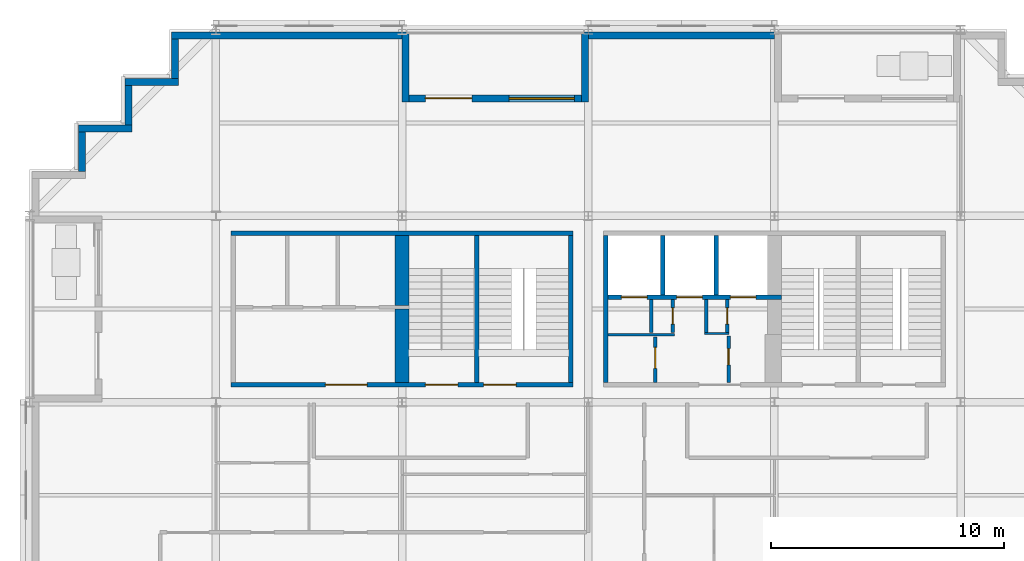
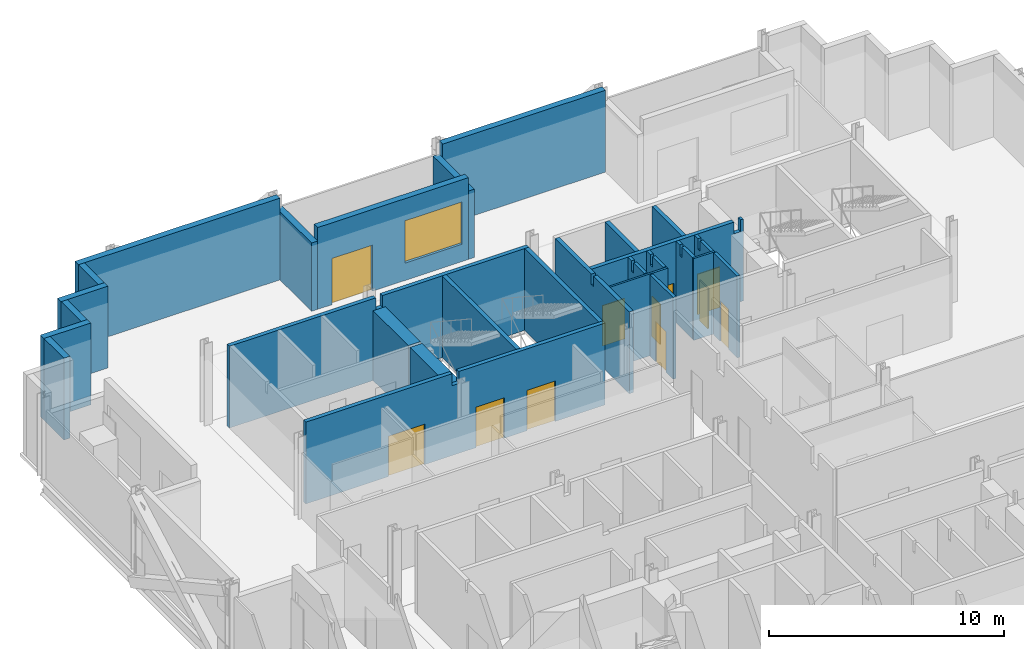
# One storey, part 9 of 14: 28 walls, 11 doors, 1 window, 12 openings.
"""IFC4 building model written with IfcOpenShell, lengths in metres."""

import ifcopenshell
import ifcopenshell.guid

model = None  # the IFC model being written
_history = None  # IfcOwnerHistory: only IFC2X3 demands one
_inside = {}  # id of a spatial element -> (the spatial element, [elements in it])
_under = {}  # id of a project, library or spatial element -> (it, [spatial elements below it])
_declared = {}  # id of a project -> (the project, [libraries it declares])
_typed = {}  # id of a type object -> (the type object, [elements of that type])
_made_of = {}  # id of a material, layer set ... -> (it, [elements and type objects made of it])


def new_model(schema):
    """Start an empty IFC model of exactly this schema.

    Asked for "IFC4X3", IfcOpenShell would pick the latest addendum, in which some entities
    have other attributes; the version numbers below select the first issue.
    IFC2X3 requires an IfcOwnerHistory on every rooted entity: one is made here for all.
    """
    global model, _history
    if schema == "IFC4X3":
        model = ifcopenshell.file(schema_version=(4, 3, 0, 0))
    else:
        model = ifcopenshell.file(schema=schema)
    _inside.clear()
    _under.clear()
    _declared.clear()
    _typed.clear()
    _made_of.clear()
    _history = None
    if model.schema == "IFC2X3":
        org = make("IfcOrganization", Name="unknown")
        user = make(
            "IfcPersonAndOrganization",
            ThePerson=make("IfcPerson", FamilyName="unknown"),
            TheOrganization=org,
        )
        app = make(
            "IfcApplication",
            ApplicationDeveloper=org,
            Version="unknown",
            ApplicationFullName="unknown",
            ApplicationIdentifier="unknown",
        )
        _history = make(
            "IfcOwnerHistory",
            OwningUser=user,
            OwningApplication=app,
            ChangeAction="ADDED",
            CreationDate=0,
        )
    return model


def make(cls, **values):
    """One entity of the class cls with the attributes given. An attribute that is None is left unset."""
    return model.create_entity(
        cls, **{name: value for name, value in values.items() if value is not None}
    )


def rooted(cls, **values):
    """An entity with a GlobalId (a new one), such as an element, a storey or a relation."""
    return make(cls, GlobalId=ifcopenshell.guid.new(), OwnerHistory=_history, **values)


def si_unit(unit_type, name, prefix=None):
    """IfcSIUnit, for example si_unit("LENGTHUNIT", "METRE", prefix="MILLI")."""
    return make("IfcSIUnit", UnitType=unit_type, Prefix=prefix, Name=name)


def assignment(units):
    """IfcUnitAssignment: the units of a project."""
    return None if units is None else make("IfcUnitAssignment", Units=units)


def point(xyz):
    """IfcCartesianPoint."""
    return None if xyz is None else make("IfcCartesianPoint", Coordinates=xyz)


def direction(xyz):
    """IfcDirection."""
    return None if xyz is None else make("IfcDirection", DirectionRatios=xyz)


def frame(location, z_axis=None, x_axis=None):
    """IfcAxis2Placement3D, a coordinate frame: its origin and axes. An axis left out is left unset."""
    return make(
        "IfcAxis2Placement3D",
        Location=point(location),
        Axis=direction(z_axis),
        RefDirection=direction(x_axis),
    )


def frame_2d(location, x_axis=None):
    """IfcAxis2Placement2D, a coordinate frame in the plane: its origin and x axis."""
    return make(
        "IfcAxis2Placement2D", Location=point(location), RefDirection=direction(x_axis)
    )


def origin():
    """The frame at (0, 0, 0) with its axes left unset."""
    return frame((0.0, 0.0, 0.0))


def place(relative_to, where):
    """IfcLocalPlacement: puts the frame where relative to a parent placement (None: the world)."""
    return make(
        "IfcLocalPlacement", PlacementRelTo=relative_to, RelativePlacement=where
    )


def context(
    kind, dimensions, precision=None, world=None, true_north=None, identifier=None
):
    """IfcGeometricRepresentationContext, for example the 3D "Model" context."""
    return make(
        "IfcGeometricRepresentationContext",
        ContextIdentifier=identifier,
        ContextType=kind,
        CoordinateSpaceDimension=dimensions,
        Precision=precision,
        WorldCoordinateSystem=world,
        TrueNorth=true_north,
    )


def subcontext(parent, identifier, kind, view, scale=None):
    """IfcGeometricRepresentationSubContext, for example "Body" below "Model"."""
    return make(
        "IfcGeometricRepresentationSubContext",
        ContextIdentifier=identifier,
        ContextType=kind,
        ParentContext=parent,
        TargetScale=scale,
        TargetView=view,
    )


def project(units=None, contexts=None):
    """IfcProject with its units and contexts."""
    return rooted(
        "IfcProject",
        Name="project",
        RepresentationContexts=contexts,
        UnitsInContext=assignment(units),
    )


def spatial(cls, under=None, at=None, **own):
    """A site, building, storey or space (cls), placed at a placement, below another one or the project."""
    s = rooted(cls, ObjectPlacement=at, **own)
    if under is not None:
        _under.setdefault(under.id(), (under, []))[1].append(s)
    return s


def polyline(points):
    """IfcPolyline through the points."""
    return make("IfcPolyline", Points=[point(p) for p in points])


def profile(cls, at=None, kind="AREA", **sizes):
    """A parametric profile (cls). Its sizes go by their IFC names, for example OverallWidth=200.0."""
    return make(cls, ProfileType=kind, Position=at, **sizes)


def rectangle(**sizes):
    """IfcRectangleProfileDef."""
    return profile("IfcRectangleProfileDef", **sizes)


def outline(outer, holes=None, kind="AREA"):
    """IfcArbitraryClosedProfileDef: a profile drawn as a closed curve; with holes, ...WithVoids."""
    if holes is None:
        return make("IfcArbitraryClosedProfileDef", ProfileType=kind, OuterCurve=outer)
    return make(
        "IfcArbitraryProfileDefWithVoids",
        ProfileType=kind,
        OuterCurve=outer,
        InnerCurves=holes,
    )


def extrude(swept, where, along, depth):
    """IfcExtrudedAreaSolid: the profile swept, set in the frame where, extruded along a direction by depth."""
    return make(
        "IfcExtrudedAreaSolid",
        SweptArea=swept,
        Position=where,
        ExtrudedDirection=direction(along),
        Depth=depth,
    )


def shape(context_of_items, identifier, shape_type, items):
    """IfcShapeRepresentation: the items that make up one representation, for example the "Body"."""
    return make(
        "IfcShapeRepresentation",
        ContextOfItems=context_of_items,
        RepresentationIdentifier=identifier,
        RepresentationType=shape_type,
        Items=items,
    )


def material(Name=None, Category=None):
    """IfcMaterial."""
    return make("IfcMaterial", Name=Name, Category=Category)


def layer(
    of_material, thickness, ventilated=None, Name=None, Category=None, Priority=None
):
    """IfcMaterialLayer: one layer of a wall or slab, of a material (None: an air gap)."""
    return make(
        "IfcMaterialLayer",
        Material=of_material,
        LayerThickness=thickness,
        IsVentilated=ventilated,
        Name=Name,
        Category=Category,
        Priority=Priority,
    )


def layer_set(layers, Name=None):
    """IfcMaterialLayerSet."""
    return make("IfcMaterialLayerSet", MaterialLayers=layers, LayerSetName=Name)


def made_of(thing, what):
    """Note that an element or type object is made of a material, layer set ...; save() writes the relation."""
    if what is not None:
        _made_of.setdefault(what.id(), (what, []))[1].append(thing)
    return thing


def type_object(cls, material=None, **own):
    """A type object (cls), such as IfcWallType, which elements share."""
    return made_of(rooted(cls, **own), material)


def element(
    cls,
    number,
    at=None,
    inside=None,
    cuts=None,
    type_object=None,
    material=None,
    context=None,
    identifier="Body",
    shape_type=None,
    held_by="IfcProductDefinitionShape",
    body=None,
    shapes=None,
    **own,
):
    """One element of the class cls, such as IfcWall. Its Tag is "e" and its number.

    at: its placement. inside: the storey or other place that contains it. cuts: it is an
    opening in that element (IfcRelVoidsElement). A single representation is given by context,
    identifier, shape_type and body (its items); several are given by shapes. held_by: the class
    of the entity that holds the representations. save() writes the other relations.
    """
    e = rooted(cls, Tag="e%d" % number, ObjectPlacement=at, **own)
    if body is not None:
        shapes = [shape(context, identifier, shape_type, body)]
    if shapes is not None:
        e.Representation = make(held_by, Representations=shapes)
    if inside is not None:
        _inside.setdefault(inside.id(), (inside, []))[1].append(e)
    if cuts is not None:
        rooted(
            "IfcRelVoidsElement", RelatingBuildingElement=cuts, RelatedOpeningElement=e
        )
    if type_object is not None:
        _typed.setdefault(type_object.id(), (type_object, []))[1].append(e)
    return made_of(e, material)


def fill(opening, filler):
    """IfcRelFillsElement: the door or window that sits in an opening."""
    return rooted(
        "IfcRelFillsElement",
        RelatingOpeningElement=opening,
        RelatedBuildingElement=filler,
    )


def aggregate(whole, parts):
    """IfcRelAggregates: a whole, such as a stair, and the parts it consists of."""
    return rooted("IfcRelAggregates", RelatingObject=whole, RelatedObjects=parts)


def save(model, path):
    """Write the relations noted so far, then the file.

    IfcRelAggregates (storeys below a building ...), IfcRelContainedInSpatialStructure (elements
    in a storey), IfcRelDefinesByType, IfcRelAssociatesMaterial and IfcRelDeclares: one each for
    every whole, place, type object, material and project.
    """
    for whole, parts in _under.values():
        aggregate(whole, parts)
    for where, things in _inside.values():
        rooted(
            "IfcRelContainedInSpatialStructure",
            RelatedElements=things,
            RelatingStructure=where,
        )
    for kind, things in _typed.values():
        rooted("IfcRelDefinesByType", RelatedObjects=things, RelatingType=kind)
    for what, things in _made_of.values():
        rooted("IfcRelAssociatesMaterial", RelatedObjects=things, RelatingMaterial=what)
    for by, libraries in _declared.values():
        rooted("IfcRelDeclares", RelatingContext=by, RelatedDefinitions=libraries)
    model.write(path)


model = new_model("IFC4")

# Units and contexts
model_context = context("Model", 3, precision=1e-05, world=origin(), true_north=direction((0.0, 1.0)))
body_context = subcontext(model_context, "Body", "Model", "MODEL_VIEW")
ifc_project = project(units=[si_unit("LENGTHUNIT", "METRE"), si_unit("AREAUNIT", "SQUARE_METRE"), si_unit("VOLUMEUNIT", "CUBIC_METRE"), si_unit("PLANEANGLEUNIT", "RADIAN"), si_unit("MASSUNIT", "GRAM", prefix="KILO")], contexts=[model_context])

# Site, building, storey
site_placement = place(None, origin())
site = spatial("IfcSite", under=ifc_project, at=site_placement, CompositionType="ELEMENT")
building_placement = place(site_placement, origin())
building = spatial("IfcBuilding", under=site, at=building_placement, Name="Immortelle Media Tower", CompositionType="ELEMENT")
storey_placement = place(building_placement, frame((0.0, 0.0, 43.60009765625)))
storey = spatial("IfcBuildingStorey", under=building, at=storey_placement, Name="L06", CompositionType="ELEMENT", Elevation=43.60009765625)

# Walls
ifc_material_1 = material(Name="Fire-rated gypsum board", Category="gypsum")
ifc_layer_1 = layer(ifc_material_1, 0.02490234375)
ifc_material_2 = material(Name="Steel ASTM A653 SS Gr 50 stud frame with mineral wool", Category="steel")
ifc_layer_2 = layer(ifc_material_2, 0.050048828125)
ifc_layer_3 = layer(ifc_material_1, 0.02490234375)
ifc_layer_set_1 = layer_set([ifc_layer_1, ifc_layer_2, ifc_layer_3], Name="Steel ASTM A653 SS Gr 50 stud frame with mineral wool")
wall_type_1 = type_object("IfcWallType", Name="Core partition 100", PredefinedType="PARTITIONING", material=ifc_layer_set_1)
wall_1_placement = place(storey_placement, frame((24.85009765625, 34.89990234375, 0.0), z_axis=(0.0, 0.0, 1.0), x_axis=(1.0, 0.0, 0.0)))
element("IfcWall", 1, at=wall_1_placement, inside=storey, type_object=wall_type_1, Name="Core partition NE", PredefinedType="PARTITIONING", context=body_context, shape_type="SweptSolid", body=[
    extrude(rectangle(XDim=2.849853515625, YDim=0.10009765625, at=frame_2d((1.4248046875, 0.0))), origin(), (0.0, 0.0, 1.0), 4.25),
])
wall_2_placement = place(storey_placement, frame((29.0, 34.949951171875, 0.0), z_axis=(0.0, 0.0, 1.0), x_axis=(1.0, 0.0, 0.0)))
element("IfcWall", 2, at=wall_2_placement, inside=storey, type_object=wall_type_1, Name="Core partition NE", PredefinedType="PARTITIONING", context=body_context, shape_type="SweptSolid", body=[
    extrude(rectangle(XDim=1.050048828125, YDim=0.10009765625, at=frame_2d((0.52490234375, 0.0))), origin(), (0.0, 0.0, 1.0), 4.25),
])
ifc_layer_4 = layer(ifc_material_1, 0.02490234375)
ifc_layer_5 = layer(ifc_material_2, 0.10009765625)
ifc_layer_6 = layer(ifc_material_1, 0.02490234375)
ifc_layer_set_2 = layer_set([ifc_layer_4, ifc_layer_5, ifc_layer_6], Name="Steel ASTM A653 SS Gr 50 stud frame with mineral wool")
wall_type_2 = type_object("IfcWallType", Name="Core partition 150", PredefinedType="PARTITIONING", material=ifc_layer_set_2)
wall_3_placement = place(storey_placement, frame((26.699951171875, 35.0, 0.0), z_axis=(0.0, 0.0, 1.0), x_axis=(0.0, 1.0, 0.0)))
element("IfcWall", 3, at=wall_3_placement, inside=storey, type_object=wall_type_2, Name="Core partition NE", PredefinedType="PARTITIONING", context=body_context, shape_type="SweptSolid", body=[
    extrude(outline(polyline([(0.0, 0.0), (1.39990234375, 0.0), (1.39990234375, 4.25), (1.08837890625, 4.25), (1.08740234375, 3.7080078125), (0.91259765625, 3.7080078125), (0.91162109375, 4.25), (0.0, 4.25), (0.0, 0.0)])), frame((0.0, 0.074951171875, 0.0), z_axis=(0.0, -1.0, 0.0), x_axis=(1.0, 0.0, 0.0)), (0.0, 0.0, 1.0), 0.14990234375),
])

# Wall, opening, door
wall_4_placement = place(storey_placement, frame((26.875, 32.85009765625, 0.0), z_axis=(0.0, 0.0, 1.0), x_axis=(0.0, 1.0, 0.0)))
wall_4 = element("IfcWall", 4, at=wall_4_placement, inside=storey, type_object=wall_type_2, Name="Core partition NE", PredefinedType="PARTITIONING", context=body_context, shape_type="SweptSolid", body=[
    extrude(rectangle(XDim=1.949951171875, YDim=0.14990234375, at=frame_2d((0.97509765625, 0.0))), origin(), (0.0, 0.0, 1.0), 4.25),
])
opening_1_placement = place(wall_4_placement, frame((0.60009765625, 0.0, 0.0)))
opening_1 = element("IfcOpeningElement", 5, at=opening_1_placement, cuts=wall_4, Name="Opening N1-K028", PredefinedType="OPENING", context=body_context, shape_type="SweptSolid", body=[
    extrude(rectangle(XDim=0.89990234375, YDim=2.10009765625, at=frame_2d((0.449951171875, 1.050048828125))), frame((0.0, 0.0849609375, 0.0), z_axis=(0.0, -1.0, 0.0), x_axis=(1.0, 0.0, 0.0)), (0.0, 0.0, 1.0), 0.169921875),
])
ifc_material_3 = material(Name="Galvanised steel door leaf and frame ASTM A653", Category="steel")
door_type_1 = type_object("IfcDoorType", Name="Service door 900 x 2100", OperationType="NOTDEFINED", PredefinedType="NOTDEFINED", material=ifc_material_3)
door_1_placement = place(opening_1_placement, origin())
door_1 = element("IfcDoor", 6, at=door_1_placement, inside=storey, type_object=door_type_1, Name="Service N1-K028", OperationType="SINGLE_SWING_RIGHT", OverallHeight=2.10009765625, OverallWidth=0.89990234375, PredefinedType="NOTDEFINED", context=body_context, shape_type="SweptSolid", body=[
    extrude(rectangle(XDim=0.89990234375, YDim=2.10009765625, at=frame_2d((0.449951171875, 1.050048828125))), frame((0.0, 0.02490234375, 0.0), z_axis=(0.0, -1.0, 0.0), x_axis=(1.0, 0.0, 0.0)), (0.0, 0.0, 1.0), 0.050048828125),
])
fill(opening_1, door_1)

wall_5_placement = place(storey_placement, frame((27.625, 35.0, 0.0), z_axis=(0.0, 0.0, 1.0), x_axis=(0.0, 1.0, 0.0)))
wall_5 = element("IfcWall", 7, at=wall_5_placement, inside=storey, type_object=wall_type_2, Name="Core partition NE", PredefinedType="PARTITIONING", context=body_context, shape_type="SweptSolid", body=[
    extrude(outline(polyline([(0.0, 0.0), (1.39990234375, 0.0), (1.39990234375, 4.25), (1.08837890625, 4.25), (1.08740234375, 3.7080078125), (0.91259765625, 3.7080078125), (0.91162109375, 4.25), (0.0, 4.25), (0.0, 0.0)])), frame((0.0, 0.074951171875, 0.0), z_axis=(0.0, -1.0, 0.0), x_axis=(1.0, 0.0, 0.0)), (0.0, 0.0, 1.0), 0.14990234375),
])
opening_2_placement = place(wall_5_placement, frame((0.35009765625, 0.0, 0.0)))
opening_2 = element("IfcOpeningElement", 8, at=opening_2_placement, cuts=wall_5, Name="Opening N1-K047", PredefinedType="OPENING", context=body_context, shape_type="SweptSolid", body=[
    extrude(rectangle(XDim=0.699951171875, YDim=2.10009765625, at=frame_2d((0.35009765625, 1.050048828125))), frame((0.0, 0.0849609375, 0.0), z_axis=(0.0, -1.0, 0.0), x_axis=(1.0, 0.0, 0.0)), (0.0, 0.0, 1.0), 0.169921875),
])
door_type_2 = type_object("IfcDoorType", Name="Service door 700 x 2100", OperationType="NOTDEFINED", PredefinedType="NOTDEFINED", material=ifc_material_3)
door_2_placement = place(opening_2_placement, origin())
door_2 = element("IfcDoor", 9, at=door_2_placement, inside=storey, type_object=door_type_2, Name="Service N1-K047", OperationType="SINGLE_SWING_RIGHT", OverallHeight=2.10009765625, OverallWidth=0.699951171875, PredefinedType="NOTDEFINED", context=body_context, shape_type="SweptSolid", body=[
    extrude(rectangle(XDim=0.699951171875, YDim=2.10009765625, at=frame_2d((0.35009765625, 1.050048828125))), frame((0.0, 0.02490234375, 0.0), z_axis=(0.0, -1.0, 0.0), x_axis=(1.0, 0.0, 0.0)), (0.0, 0.0, 1.0), 0.050048828125),
])
fill(opening_2, door_2)

# Wall
wall_6_placement = place(storey_placement, frame((29.074951171875, 35.0, 0.0), z_axis=(0.0, 0.0, 1.0), x_axis=(0.0, 1.0, 0.0)))
element("IfcWall", 10, at=wall_6_placement, inside=storey, type_object=wall_type_2, Name="Core partition NE", PredefinedType="PARTITIONING", context=body_context, shape_type="SweptSolid", body=[
    extrude(outline(polyline([(0.0, 0.0), (1.39990234375, 0.0), (1.39990234375, 4.25), (1.08837890625, 4.25), (1.08740234375, 3.7080078125), (0.91259765625, 3.7080078125), (0.91162109375, 4.25), (0.0, 4.25), (0.0, 0.0)])), frame((0.0, 0.074951171875, 0.0), z_axis=(0.0, -1.0, 0.0), x_axis=(1.0, 0.0, 0.0)), (0.0, 0.0, 1.0), 0.14990234375),
])

# Wall, opening, door
wall_7_placement = place(storey_placement, frame((29.97509765625, 35.0, 0.0), z_axis=(0.0, 0.0, 1.0), x_axis=(0.0, 1.0, 0.0)))
wall_7 = element("IfcWall", 11, at=wall_7_placement, inside=storey, type_object=wall_type_2, Name="Core partition NE", PredefinedType="PARTITIONING", context=body_context, shape_type="SweptSolid", body=[
    extrude(outline(polyline([(0.0, 0.0), (1.39990234375, 0.0), (1.39990234375, 4.25), (1.08837890625, 4.25), (1.08740234375, 3.7080078125), (0.91259765625, 3.7080078125), (0.91162109375, 4.25), (0.0, 4.25), (0.0, 0.0)])), frame((0.0, 0.074951171875, 0.0), z_axis=(0.0, -1.0, 0.0), x_axis=(1.0, 0.0, 0.0)), (0.0, 0.0, 1.0), 0.14990234375),
])
opening_3_placement = place(wall_7_placement, frame((1.050048828125, 0.0, 0.0), z_axis=(0.0, 0.0, 1.0), x_axis=(-1.0, 0.0, 0.0)))
opening_3 = element("IfcOpeningElement", 12, at=opening_3_placement, cuts=wall_7, Name="Opening N1-K031", PredefinedType="OPENING", context=body_context, shape_type="SweptSolid", body=[
    extrude(rectangle(XDim=0.699951171875, YDim=2.10009765625, at=frame_2d((0.35009765625, 1.050048828125))), frame((0.0, 0.0849609375, 0.0), z_axis=(0.0, -1.0, 0.0), x_axis=(1.0, 0.0, 0.0)), (0.0, 0.0, 1.0), 0.169921875),
])
door_3_placement = place(opening_3_placement, origin())
door_3 = element("IfcDoor", 13, at=door_3_placement, inside=storey, type_object=door_type_2, Name="Service N1-K031", OperationType="SINGLE_SWING_RIGHT", OverallHeight=2.10009765625, OverallWidth=0.699951171875, PredefinedType="NOTDEFINED", context=body_context, shape_type="SweptSolid", body=[
    extrude(rectangle(XDim=0.699951171875, YDim=2.10009765625, at=frame_2d((0.35009765625, 1.050048828125))), frame((0.0, 0.02490234375, 0.0), z_axis=(0.0, -1.0, 0.0), x_axis=(1.0, 0.0, 0.0)), (0.0, 0.0, 1.0), 0.050048828125),
])
fill(opening_3, door_3)

wall_8_placement = place(storey_placement, frame((30.02490234375, 32.85009765625, 0.0), z_axis=(0.0, 0.0, 1.0), x_axis=(0.0, 1.0, 0.0)))
wall_8 = element("IfcWall", 14, at=wall_8_placement, inside=storey, type_object=wall_type_2, Name="Core partition NE", PredefinedType="PARTITIONING", context=body_context, shape_type="SweptSolid", body=[
    extrude(rectangle(XDim=2.0, YDim=0.14990234375, at=frame_2d((1.0, 0.0))), origin(), (0.0, 0.0, 1.0), 4.25),
])
opening_4_placement = place(wall_8_placement, frame((1.449951171875, 0.0, 0.0), z_axis=(0.0, 0.0, 1.0), x_axis=(-1.0, 0.0, 0.0)))
opening_4 = element("IfcOpeningElement", 15, at=opening_4_placement, cuts=wall_8, Name="Opening N1-K048", PredefinedType="OPENING", context=body_context, shape_type="SweptSolid", body=[
    extrude(rectangle(XDim=0.699951171875, YDim=2.10009765625, at=frame_2d((0.35009765625, 1.050048828125))), frame((0.0, 0.0849609375, 0.0), z_axis=(0.0, -1.0, 0.0), x_axis=(1.0, 0.0, 0.0)), (0.0, 0.0, 1.0), 0.169921875),
])
door_4_placement = place(opening_4_placement, origin())
door_4 = element("IfcDoor", 16, at=door_4_placement, inside=storey, type_object=door_type_2, Name="Service N1-K048", OperationType="SINGLE_SWING_LEFT", OverallHeight=2.10009765625, OverallWidth=0.699951171875, PredefinedType="NOTDEFINED", context=body_context, shape_type="SweptSolid", body=[
    extrude(rectangle(XDim=0.699951171875, YDim=2.10009765625, at=frame_2d((0.35009765625, 1.050048828125))), frame((0.0, 0.02490234375, 0.0), z_axis=(0.0, -1.0, 0.0), x_axis=(1.0, 0.0, 0.0)), (0.0, 0.0, 1.0), 0.050048828125),
])
fill(opening_4, door_4)

# Wall
ifc_layer_7 = layer(ifc_material_1, 0.03759765625)
ifc_layer_8 = layer(ifc_material_2, 0.125)
ifc_layer_9 = layer(ifc_material_1, 0.03759765625)
ifc_layer_set_3 = layer_set([ifc_layer_7, ifc_layer_8, ifc_layer_9], Name="Steel ASTM A653 SS Gr 50 stud frame with mineral wool")
wall_type_3 = type_object("IfcWallType", Name="Core shaft wall 200", PredefinedType="PARTITIONING", material=ifc_layer_set_3)
wall_9_placement = place(storey_placement, frame((24.75, 32.85009765625, 0.0), z_axis=(0.0, 0.0, 1.0), x_axis=(0.0, 1.0, 0.0)))
element("IfcWall", 17, at=wall_9_placement, inside=storey, type_object=wall_type_3, Name="Core shaft wall NE", PredefinedType="PARTITIONING", context=body_context, shape_type="SweptSolid", body=[
    extrude(outline(polyline([(0.0, 0.0), (6.2998046875, 0.0), (6.300048828125, 4.25), (3.238525390625, 4.25), (3.237548828125, 3.7080078125), (3.0625, 3.7080078125), (3.0615234375, 4.25), (0.0, 4.25), (0.0, 0.0)])), frame((0.0, 0.10009765625, 0.0), z_axis=(0.0, -1.0, 0.0), x_axis=(1.0, 0.0, 0.0)), (0.0, 0.0, 1.0), 0.199951171875),
])

# Wall, openings, doors
wall_10_placement = place(storey_placement, frame((24.85009765625, 36.5, 0.0), z_axis=(0.0, 0.0, 1.0), x_axis=(1.0, 0.0, 0.0)))
wall_10 = element("IfcWall", 18, at=wall_10_placement, inside=storey, type_object=wall_type_3, Name="Core shaft wall NE", PredefinedType="PARTITIONING", context=body_context, shape_type="SweptSolid", body=[
    extrude(outline(polyline([(0.0, 0.0), (7.449951171875, 0.0), (7.449951171875, 4.25), (7.31689453125, 4.25), (7.31591796875, 3.6318359375), (6.98388671875, 3.6318359375), (6.98291015625, 4.25), (0.0, 4.25), (0.0, 0.0)])), frame((0.0, 0.10009765625, 0.0), z_axis=(0.0, -1.0, 0.0), x_axis=(1.0, 0.0, 0.0)), (0.0, 0.0, 1.0), 0.199951171875),
])
opening_5_placement = place(wall_10_placement, frame((0.574951171875, 0.0, 0.0)))
opening_5 = element("IfcOpeningElement", 19, at=opening_5_placement, cuts=wall_10, Name="Opening LD", PredefinedType="OPENING", context=body_context, shape_type="SweptSolid", body=[
    extrude(rectangle(XDim=1.10009765625, YDim=2.10009765625, at=frame_2d((0.550048828125, 1.050048828125))), frame((0.0, 0.10986328125, 0.0), z_axis=(0.0, -1.0, 0.0), x_axis=(1.0, 0.0, 0.0)), (0.0, 0.0, 1.0), 0.219970703125),
])
opening_6_placement = place(wall_10_placement, frame((2.949951171875, 0.0, 0.0)))
opening_6 = element("IfcOpeningElement", 20, at=opening_6_placement, cuts=wall_10, Name="Opening LD", PredefinedType="OPENING", context=body_context, shape_type="SweptSolid", body=[
    extrude(rectangle(XDim=1.10009765625, YDim=2.10009765625, at=frame_2d((0.550048828125, 1.050048828125))), frame((0.0, 0.10986328125, 0.0), z_axis=(0.0, -1.0, 0.0), x_axis=(1.0, 0.0, 0.0)), (0.0, 0.0, 1.0), 0.219970703125),
])
opening_7_placement = place(wall_10_placement, frame((5.25, 0.0, 0.0)))
opening_7 = element("IfcOpeningElement", 21, at=opening_7_placement, cuts=wall_10, Name="Opening LD", PredefinedType="OPENING", context=body_context, shape_type="SweptSolid", body=[
    extrude(rectangle(XDim=1.10009765625, YDim=2.10009765625, at=frame_2d((0.550048828125, 1.050048828125))), frame((0.0, 0.10986328125, 0.0), z_axis=(0.0, -1.0, 0.0), x_axis=(1.0, 0.0, 0.0)), (0.0, 0.0, 1.0), 0.219970703125),
])
ifc_material_4 = material(Name="Stainless steel AISI 304", Category="steel")
door_type_3 = type_object("IfcDoorType", Name="Landing door 1100 x 2100", OperationType="SLIDING_TO_LEFT", PredefinedType="NOTDEFINED", material=ifc_material_4)
door_5_placement = place(opening_5_placement, origin())
door_5 = element("IfcDoor", 22, at=door_5_placement, inside=storey, type_object=door_type_3, Name="Landing door LR1 L06", OperationType="SLIDING_TO_LEFT", OverallHeight=2.10009765625, OverallWidth=1.10009765625, PredefinedType="NOTDEFINED", context=body_context, shape_type="SweptSolid", body=[
    extrude(rectangle(XDim=1.10009765625, YDim=2.10009765625, at=frame_2d((0.550048828125, 1.050048828125))), frame((0.0, 0.02490234375, 0.0), z_axis=(0.0, -1.0, 0.0), x_axis=(1.0, 0.0, 0.0)), (0.0, 0.0, 1.0), 0.050048828125),
])
fill(opening_5, door_5)
door_6_placement = place(opening_6_placement, origin())
door_6 = element("IfcDoor", 23, at=door_6_placement, inside=storey, type_object=door_type_3, Name="Landing door LR2 L06", OperationType="SLIDING_TO_LEFT", OverallHeight=2.10009765625, OverallWidth=1.10009765625, PredefinedType="NOTDEFINED", context=body_context, shape_type="SweptSolid", body=[
    extrude(rectangle(XDim=1.10009765625, YDim=2.10009765625, at=frame_2d((0.550048828125, 1.050048828125))), frame((0.0, 0.02490234375, 0.0), z_axis=(0.0, -1.0, 0.0), x_axis=(1.0, 0.0, 0.0)), (0.0, 0.0, 1.0), 0.050048828125),
])
fill(opening_6, door_6)
door_7_placement = place(opening_7_placement, origin())
door_7 = element("IfcDoor", 24, at=door_7_placement, inside=storey, type_object=door_type_3, Name="Landing door LR3 L06", OperationType="SLIDING_TO_LEFT", OverallHeight=2.10009765625, OverallWidth=1.10009765625, PredefinedType="NOTDEFINED", context=body_context, shape_type="SweptSolid", body=[
    extrude(rectangle(XDim=1.10009765625, YDim=2.10009765625, at=frame_2d((0.550048828125, 1.050048828125))), frame((0.0, 0.02490234375, 0.0), z_axis=(0.0, -1.0, 0.0), x_axis=(1.0, 0.0, 0.0)), (0.0, 0.0, 1.0), 0.050048828125),
])
fill(opening_7, door_7)

# Walls
for number, where, z_axis, x_axis, name in (
    (25, (27.199951171875, 36.60009765625, 0.0), (0.0, 0.0, 1.0), (0.0, 1.0, 0.0), "Core shaft wall NE"),
    (26, (29.5, 36.60009765625, 0.0), (0.0, 0.0, 1.0), (0.0, 1.0, 0.0), "Core shaft wall NE"),
):
    element("IfcWall", number, at=place(storey_placement, frame(where, z_axis=z_axis, x_axis=x_axis)), inside=storey, type_object=wall_type_3, Name=name, PredefinedType="PARTITIONING", context=body_context, shape_type="SweptSolid", body=[
        extrude(rectangle(XDim=2.5498046875, YDim=0.199951171875, at=frame_2d((1.27490234375, 0.0))), origin(), (0.0, 0.0, 1.0), 4.25),
    ])
ifc_material_5 = material(Name="Pale aluminium cladding panel", Category="aluminium")
ifc_layer_10 = layer(ifc_material_5, 0.030029296875)
ifc_layer_11 = layer(ifc_material_2, 0.257568359375)
ifc_material_6 = material(Name="Moisture-resistant gypsum board", Category="gypsum")
ifc_layer_12 = layer(ifc_material_6, 0.012451171875)
ifc_layer_set_4 = layer_set([ifc_layer_10, ifc_layer_11, ifc_layer_12], Name="Steel ASTM A653 SS Gr 50 stud frame with mineral wool")
wall_type_4 = type_object("IfcWallType", Name="Facade wall 300", PredefinedType="SOLIDWALL", material=ifc_layer_set_4)
wall_11_placement = place(storey_placement, frame((32.0, 47.75, 0.0), z_axis=(0.0, 0.0, 1.0), x_axis=(-1.0, 0.0, 0.0)))
element("IfcWall", 27, at=wall_11_placement, inside=storey, type_object=wall_type_4, Name="Facade wall L06 N21", PredefinedType="SOLIDWALL", context=body_context, shape_type="SweptSolid", body=[
    extrude(rectangle(XDim=8.0, YDim=0.300048828125, at=frame_2d((4.0, 0.0))), origin(), (0.0, 0.0, 1.0), 4.25),
])

# Wall, openings, door, window
wall_12_placement = place(storey_placement, frame((23.699951171875, 45.050048828125, 0.0), z_axis=(0.0, 0.0, 1.0), x_axis=(-1.0, 0.0, 0.0)))
wall_12 = element("IfcWall", 28, at=wall_12_placement, inside=storey, type_object=wall_type_4, Name="Loggia wall L06 N21", PredefinedType="SOLIDWALL", context=body_context, shape_type="SweptSolid", body=[
    extrude(rectangle(XDim=7.39990234375, YDim=0.300048828125, at=frame_2d((3.699951171875, 0.0))), origin(), (0.0, 0.0, 1.0), 4.25),
])
opening_8_placement = place(wall_12_placement, frame((0.300048828125, 0.0, 0.89990234375)))
opening_8 = element("IfcOpeningElement", 29, at=opening_8_placement, cuts=wall_12, Name="Opening W1", PredefinedType="OPENING", context=body_context, shape_type="SweptSolid", body=[
    extrude(rectangle(XDim=2.800048828125, YDim=2.199951171875, at=frame_2d((1.39990234375, 1.10009765625))), frame((0.0, 0.159912109375, 0.0), z_axis=(0.0, -1.0, 0.0), x_axis=(1.0, 0.0, 0.0)), (0.0, 0.0, 1.0), 0.320068359375),
])
opening_9_placement = place(wall_12_placement, frame((4.699951171875, 0.0, 0.0)))
opening_9 = element("IfcOpeningElement", 30, at=opening_9_placement, cuts=wall_12, Name="Opening N1-E008", PredefinedType="OPENING", context=body_context, shape_type="SweptSolid", body=[
    extrude(rectangle(XDim=2.0, YDim=2.39990234375, at=frame_2d((1.0, 1.199951171875))), frame((0.0, 0.159912109375, 0.0), z_axis=(0.0, -1.0, 0.0), x_axis=(1.0, 0.0, 0.0)), (0.0, 0.0, 1.0), 0.320068359375),
])
ifc_material_7 = material(Name="Aluminium frame, glazed leaves", Category="aluminium")
door_type_4 = type_object("IfcDoorType", Name="Loggia door 2000 x 2400", OperationType="DOUBLE_DOOR_SINGLE_SWING", PredefinedType="DOOR", material=ifc_material_7)
door_8_placement = place(opening_9_placement, origin())
door_8 = element("IfcDoor", 31, at=door_8_placement, inside=storey, type_object=door_type_4, Name="Door N1-E008", OperationType="DOUBLE_DOOR_SINGLE_SWING", OverallHeight=2.39990234375, OverallWidth=2.0, PredefinedType="DOOR", context=body_context, shape_type="SweptSolid", body=[
    extrude(rectangle(XDim=2.0, YDim=2.39990234375, at=frame_2d((1.0, 1.199951171875))), frame((0.0, 0.02490234375, 0.0), z_axis=(0.0, -1.0, 0.0), x_axis=(1.0, 0.0, 0.0)), (0.0, 0.0, 1.0), 0.050048828125),
])
fill(opening_9, door_8)
ifc_material_8 = material(Name="Aluminium frame", Category="aluminium")
window_type = type_object("IfcWindowType", Name="Window 2800 x 2200", PartitioningType="SINGLE_PANEL", PredefinedType="WINDOW", material=ifc_material_8)
window_placement = place(opening_8_placement, origin())
window = element("IfcWindow", 32, at=window_placement, inside=storey, type_object=window_type, Name="Window L06 L06-R21-B2", OverallHeight=2.199951171875, OverallWidth=2.800048828125, PartitioningType="SINGLE_PANEL", PredefinedType="WINDOW", context=body_context, shape_type="SweptSolid", body=[
    extrude(rectangle(XDim=2.800048828125, YDim=2.199951171875, at=frame_2d((1.39990234375, 1.10009765625))), frame((0.0, 0.030029296875, 0.0), z_axis=(0.0, -1.0, 0.0), x_axis=(1.0, 0.0, 0.0)), (0.0, 0.0, 1.0), 0.06005859375),
])
fill(opening_8, window)

# Walls
for number, where, z_axis, x_axis, name in (
    (33, (23.85009765625, 47.89990234375, 0.0), (0.0, 0.0, 1.0), (0.0, -1.0, 0.0), "Loggia cheek wall L06 N"),
    (34, (16.14990234375, 47.89990234375, 0.0), (0.0, 0.0, 1.0), (0.0, -1.0, 0.0), "Loggia cheek wall L06 N"),
):
    element("IfcWall", number, at=place(storey_placement, frame(where, z_axis=z_axis, x_axis=x_axis)), inside=storey, type_object=wall_type_4, Name=name, PredefinedType="SOLIDWALL", context=body_context, shape_type="SweptSolid", body=[
        extrude(rectangle(XDim=3.0, YDim=0.300048828125, at=frame_2d((1.5, 0.0))), origin(), (0.0, 0.0, 1.0), 3.552978515625),
    ])
wall_13_placement = place(storey_placement, frame((16.0, 47.75, 0.0), z_axis=(0.0, 0.0, 1.0), x_axis=(-1.0, 0.0, 0.0)))
element("IfcWall", 35, at=wall_13_placement, inside=storey, type_object=wall_type_4, Name="Facade wall L06 N21", PredefinedType="SOLIDWALL", context=body_context, shape_type="SweptSolid", body=[
    extrude(rectangle(XDim=9.89990234375, YDim=0.300048828125, at=frame_2d((4.949951171875, 0.0))), origin(), (0.0, 0.0, 1.0), 4.25),
])
wall_14_placement = place(storey_placement, frame((6.25, 47.60009765625, 0.0), z_axis=(0.0, 0.0, 1.0), x_axis=(0.0, -1.0, 0.0)))
element("IfcWall", 36, at=wall_14_placement, inside=storey, type_object=wall_type_4, Name="Facade wall L06 W22", PredefinedType="SOLIDWALL", context=body_context, shape_type="SweptSolid", body=[
    extrude(rectangle(XDim=1.7001953125, YDim=0.300048828125, at=frame_2d((0.85009765625, 0.0))), origin(), (0.0, 0.0, 1.0), 4.25),
])
wall_15_placement = place(storey_placement, frame((6.39990234375, 45.75, 0.0), z_axis=(0.0, 0.0, 1.0), x_axis=(-1.0, 0.0, 0.0)))
element("IfcWall", 37, at=wall_15_placement, inside=storey, type_object=wall_type_4, Name="Facade wall L06 N23", PredefinedType="SOLIDWALL", context=body_context, shape_type="SweptSolid", body=[
    extrude(rectangle(XDim=2.2998046875, YDim=0.300048828125, at=frame_2d((1.14990234375, 0.0))), origin(), (0.0, 0.0, 1.0), 4.25),
])
wall_16_placement = place(storey_placement, frame((4.25, 45.60009765625, 0.0), z_axis=(0.0, 0.0, 1.0), x_axis=(0.0, -1.0, 0.0)))
element("IfcWall", 38, at=wall_16_placement, inside=storey, type_object=wall_type_4, Name="Facade wall L06 W24", PredefinedType="SOLIDWALL", context=body_context, shape_type="SweptSolid", body=[
    extrude(rectangle(XDim=1.7001953125, YDim=0.300048828125, at=frame_2d((0.85009765625, 0.0))), origin(), (0.0, 0.0, 1.0), 4.25),
])
wall_17_placement = place(storey_placement, frame((4.39990234375, 43.75, 0.0), z_axis=(0.0, 0.0, 1.0), x_axis=(-1.0, 0.0, 0.0)))
element("IfcWall", 39, at=wall_17_placement, inside=storey, type_object=wall_type_4, Name="Facade wall L06 N25", PredefinedType="SOLIDWALL", context=body_context, shape_type="SweptSolid", body=[
    extrude(rectangle(XDim=2.2998046875, YDim=0.300048828125, at=frame_2d((1.14990234375, 0.0))), origin(), (0.0, 0.0, 1.0), 4.25),
])
wall_18_placement = place(storey_placement, frame((2.25, 43.60009765625, 0.0), z_axis=(0.0, 0.0, 1.0), x_axis=(0.0, -1.0, 0.0)))
element("IfcWall", 40, at=wall_18_placement, inside=storey, type_object=wall_type_4, Name="Facade wall L06 W26", PredefinedType="SOLIDWALL", context=body_context, shape_type="SweptSolid", body=[
    extrude(rectangle(XDim=1.7001953125, YDim=0.300048828125, at=frame_2d((0.85009765625, 0.0))), origin(), (0.0, 0.0, 1.0), 4.25),
])

# Wall, openings, doors
ifc_material_9 = material(Name="Concrete C60", Category="concrete")
ifc_layer_13 = layer(ifc_material_9, 0.199951171875)
ifc_layer_set_5 = layer_set([ifc_layer_13], Name="Concrete C60")
wall_type_5 = type_object("IfcWallType", Name="Stair shaft wall 200", PredefinedType="PARTITIONING", material=ifc_layer_set_5)
wall_19_placement = place(storey_placement, frame((8.64990234375, 32.75, 0.0), z_axis=(0.0, 0.0, 1.0), x_axis=(1.0, 0.0, 0.0)))
wall_19 = element("IfcWall", 41, at=wall_19_placement, inside=storey, type_object=wall_type_5, Name="Stair shaft wall NW", PredefinedType="PARTITIONING", context=body_context, shape_type="SweptSolid", body=[
    extrude(outline(polyline([(0.0, 0.0), (14.7001953125, 0.0), (14.699951171875, 4.25), (7.51708984375, 4.25), (7.51611328125, 3.6318359375), (7.18408203125, 3.6318359375), (7.18310546875, 4.25), (0.0, 4.25), (0.0, 0.0)])), frame((0.0, 0.10009765625, 0.0), z_axis=(0.0, -1.0, 0.0), x_axis=(1.0, 0.0, 0.0)), (0.0, 0.0, 1.0), 0.199951171875),
])
opening_10_placement = place(wall_19_placement, frame((4.050048828125, 0.0, 0.0)))
opening_10 = element("IfcOpeningElement", 42, at=opening_10_placement, cuts=wall_19, Name="Opening N1-K023", PredefinedType="OPENING", context=body_context, shape_type="SweptSolid", body=[
    extrude(rectangle(XDim=1.800048828125, YDim=2.10009765625, at=frame_2d((0.89990234375, 1.050048828125))), frame((0.0, 0.10986328125, 0.0), z_axis=(0.0, -1.0, 0.0), x_axis=(1.0, 0.0, 0.0)), (0.0, 0.0, 1.0), 0.219970703125),
])
opening_11_placement = place(wall_19_placement, frame((8.35009765625, 0.0, 0.0)))
opening_11 = element("IfcOpeningElement", 43, at=opening_11_placement, cuts=wall_19, Name="Opening N1-K025", PredefinedType="OPENING", context=body_context, shape_type="SweptSolid", body=[
    extrude(rectangle(XDim=1.39990234375, YDim=2.10009765625, at=frame_2d((0.699951171875, 1.050048828125))), frame((0.0, 0.10986328125, 0.0), z_axis=(0.0, -1.0, 0.0), x_axis=(1.0, 0.0, 0.0)), (0.0, 0.0, 1.0), 0.219970703125),
])
opening_12_placement = place(wall_19_placement, frame((10.85009765625, 0.0, 0.0)))
opening_12 = element("IfcOpeningElement", 44, at=opening_12_placement, cuts=wall_19, Name="Opening N1-K026", PredefinedType="OPENING", context=body_context, shape_type="SweptSolid", body=[
    extrude(rectangle(XDim=1.39990234375, YDim=2.10009765625, at=frame_2d((0.699951171875, 1.050048828125))), frame((0.0, 0.10986328125, 0.0), z_axis=(0.0, -1.0, 0.0), x_axis=(1.0, 0.0, 0.0)), (0.0, 0.0, 1.0), 0.219970703125),
])
door_type_5 = type_object("IfcDoorType", Name="Lift lobby door 1800 x 2100", OperationType="DOUBLE_DOOR_SINGLE_SWING", PredefinedType="NOTDEFINED", material=ifc_material_3)
door_9_placement = place(opening_10_placement, origin())
door_9 = element("IfcDoor", 45, at=door_9_placement, inside=storey, type_object=door_type_5, Name="Lift lobby N1-K023", OperationType="DOUBLE_DOOR_SINGLE_SWING", OverallHeight=2.10009765625, OverallWidth=1.800048828125, PredefinedType="NOTDEFINED", context=body_context, shape_type="SweptSolid", body=[
    extrude(rectangle(XDim=1.800048828125, YDim=2.10009765625, at=frame_2d((0.89990234375, 1.050048828125))), frame((0.0, 0.02490234375, 0.0), z_axis=(0.0, -1.0, 0.0), x_axis=(1.0, 0.0, 0.0)), (0.0, 0.0, 1.0), 0.050048828125),
])
fill(opening_10, door_9)
door_type_6 = type_object("IfcDoorType", Name="Stair door 1400 x 2100", OperationType="DOUBLE_DOOR_SINGLE_SWING", PredefinedType="NOTDEFINED", material=ifc_material_3)
door_10_placement = place(opening_11_placement, origin())
door_10 = element("IfcDoor", 46, at=door_10_placement, inside=storey, type_object=door_type_6, Name="Stair N1-K025", OperationType="DOUBLE_DOOR_SINGLE_SWING", OverallHeight=2.10009765625, OverallWidth=1.39990234375, PredefinedType="NOTDEFINED", context=body_context, shape_type="SweptSolid", body=[
    extrude(rectangle(XDim=1.39990234375, YDim=2.10009765625, at=frame_2d((0.699951171875, 1.050048828125))), frame((0.0, 0.02490234375, 0.0), z_axis=(0.0, -1.0, 0.0), x_axis=(1.0, 0.0, 0.0)), (0.0, 0.0, 1.0), 0.050048828125),
])
fill(opening_11, door_10)
door_11_placement = place(opening_12_placement, origin())
door_11 = element("IfcDoor", 47, at=door_11_placement, inside=storey, type_object=door_type_6, Name="Stair N1-K026", OperationType="DOUBLE_DOOR_SINGLE_SWING", OverallHeight=2.10009765625, OverallWidth=1.39990234375, PredefinedType="NOTDEFINED", context=body_context, shape_type="SweptSolid", body=[
    extrude(rectangle(XDim=1.39990234375, YDim=2.10009765625, at=frame_2d((0.699951171875, 1.050048828125))), frame((0.0, 0.02490234375, 0.0), z_axis=(0.0, -1.0, 0.0), x_axis=(1.0, 0.0, 0.0)), (0.0, 0.0, 1.0), 0.050048828125),
])
fill(opening_12, door_11)

# Walls
wall_20_placement = place(storey_placement, frame((8.64990234375, 39.25, 0.0), z_axis=(0.0, 0.0, 1.0), x_axis=(1.0, 0.0, 0.0)))
element("IfcWall", 48, at=wall_20_placement, inside=storey, type_object=wall_type_5, Name="Stair shaft wall NW", PredefinedType="PARTITIONING", context=body_context, shape_type="SweptSolid", body=[
    extrude(outline(polyline([(0.0, 0.0), (14.7001953125, 0.0), (14.699951171875, 4.25), (7.51708984375, 4.25), (7.51611328125, 3.6318359375), (7.18408203125, 3.6318359375), (7.18310546875, 4.25), (0.0, 4.25), (0.0, 0.0)])), frame((0.0, 0.10009765625, 0.0), z_axis=(0.0, -1.0, 0.0), x_axis=(1.0, 0.0, 0.0)), (0.0, 0.0, 1.0), 0.199951171875),
])
for number, where, z_axis, x_axis, name in (
    (49, (19.199951171875, 32.85009765625, 0.0), (0.0, 0.0, 1.0), (0.0, 1.0, 0.0), "Stair shaft wall NW"),
    (50, (23.25, 32.85009765625, 0.0), (0.0, 0.0, 1.0), (0.0, 1.0, 0.0), "Stair shaft wall NW"),
):
    element("IfcWall", number, at=place(storey_placement, frame(where, z_axis=z_axis, x_axis=x_axis)), inside=storey, type_object=wall_type_5, Name=name, PredefinedType="PARTITIONING", context=body_context, shape_type="SweptSolid", body=[
        extrude(rectangle(XDim=6.2998046875, YDim=0.199951171875, at=frame_2d((3.14990234375, 0.0))), origin(), (0.0, 0.0, 1.0), 4.25),
    ])
ifc_layer_14 = layer(ifc_material_9, 0.60009765625)
ifc_layer_set_6 = layer_set([ifc_layer_14], Name="Concrete C60")
wall_type_6 = type_object("IfcWallType", Name="Stair shaft wall 600", PredefinedType="PARTITIONING", material=ifc_layer_set_6)
wall_21_placement = place(storey_placement, frame((16.0, 32.85009765625, 0.0), z_axis=(0.0, 0.0, 1.0), x_axis=(0.0, 1.0, 0.0)))
element("IfcWall", 51, at=wall_21_placement, inside=storey, type_object=wall_type_6, Name="Stair shaft wall NW", PredefinedType="PARTITIONING", context=body_context, shape_type="SweptSolid", body=[
    extrude(rectangle(XDim=3.14990234375, YDim=0.60009765625, at=frame_2d((1.574951171875, 0.0))), origin(), (0.0, 0.0, 1.0), 3.6318359375),
])
wall_22_placement = place(storey_placement, frame((16.0, 36.14990234375, 0.0), z_axis=(0.0, 0.0, 1.0), x_axis=(0.0, 1.0, 0.0)))
element("IfcWall", 52, at=wall_22_placement, inside=storey, type_object=wall_type_6, Name="Stair shaft wall NW", PredefinedType="PARTITIONING", context=body_context, shape_type="SweptSolid", body=[
    extrude(rectangle(XDim=3.0, YDim=0.60009765625, at=frame_2d((1.5, 0.0))), origin(), (0.0, 0.0, 1.0), 3.6318359375),
])

save(model, "model.ifc")
